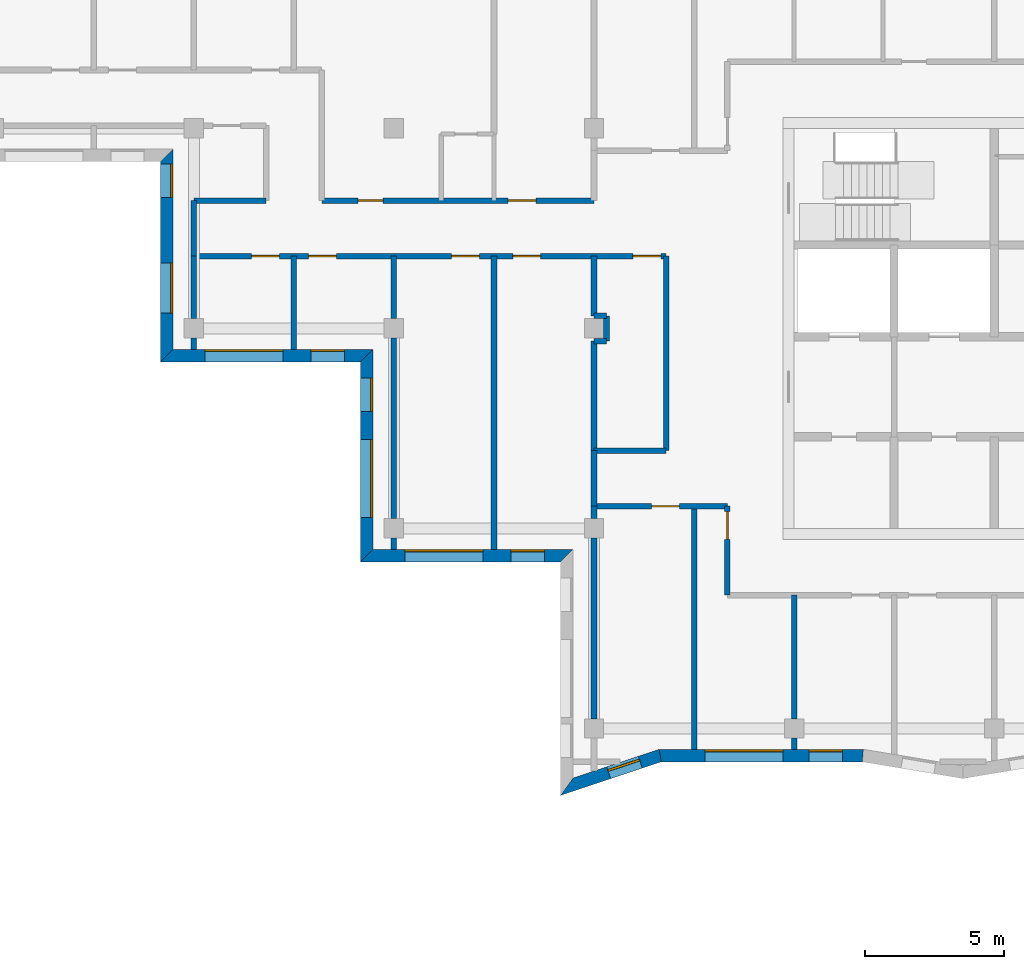
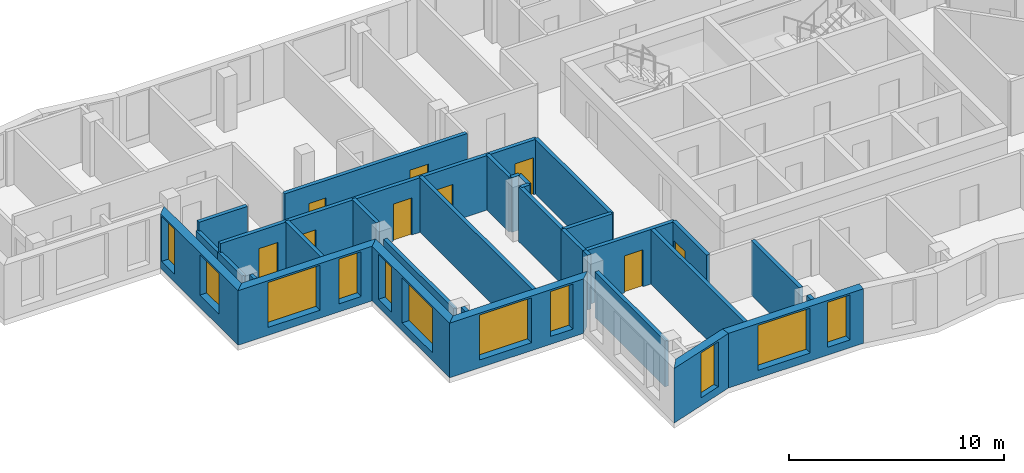
# One storey, part 2 of 12: 32 walls, 11 windows, 9 doors, 20 openings.
"""IFC4 building model written with IfcOpenShell, lengths in metres."""

from ifc_helpers import new_model, si_unit, direction, frame, frame_2d, origin, place, context, subcontext, project, spatial, polyline, rectangle, outline, extrude, material, layer, layer_set, type_object, element, fill, save


model = new_model("IFC4")

# Units and contexts
model_context = context("Model", 3, precision=1e-05, world=origin(), true_north=direction((0.0, 1.0)))
body_context = subcontext(model_context, "Body", "Model", "MODEL_VIEW")
ifc_project = project(units=[si_unit("LENGTHUNIT", "METRE"), si_unit("AREAUNIT", "SQUARE_METRE"), si_unit("VOLUMEUNIT", "CUBIC_METRE"), si_unit("PLANEANGLEUNIT", "RADIAN"), si_unit("MASSUNIT", "GRAM", prefix="KILO")], contexts=[model_context])

# Site, building, storey
site_placement = place(None, origin())
site = spatial("IfcSite", under=ifc_project, at=site_placement, CompositionType="ELEMENT")
building_placement = place(site_placement, origin())
building = spatial("IfcBuilding", under=site, at=building_placement, Name="Windrow Commons", CompositionType="ELEMENT")
storey_placement = place(building_placement, frame((0.0, 0.0, 277.8)))
storey = spatial("IfcBuildingStorey", under=building, at=storey_placement, Name="L76", CompositionType="ELEMENT", Elevation=277.8)

# Wall, openings, windows
ifc_material_1 = material(Name="Brick masonry, red clay brick", Category="masonry")
ifc_layer_1 = layer(ifc_material_1, 0.45)
ifc_layer_set_1 = layer_set([ifc_layer_1], Name="Brick facade wall 450")
wall_type_1 = type_object("IfcWallType", Name="Brick facade wall 450", PredefinedType="SOLIDWALL", material=ifc_layer_set_1)
wall_1_placement = place(storey_placement, frame((35.025, 63.825, 0.0), z_axis=(0.0, 0.0, 1.0), x_axis=(0.0, -1.0, 0.0)))
wall_1 = element("IfcWall", 1, at=wall_1_placement, inside=storey, type_object=wall_type_1, Name="Brick facade wall L76 27", PredefinedType="SOLIDWALL", context=body_context, shape_type="SweptSolid", body=[
    extrude(outline(polyline([(0.225, -0.225), (7.425, -0.225), (6.975, 0.225), (-0.225, 0.225), (0.225, -0.225)])), origin(), (0.0, 0.0, 1.0), 3.1),
])
opening_1_placement = place(wall_1_placement, frame((0.3125, 0.0, 0.45)))
opening_1 = element("IfcOpeningElement", 2, at=opening_1_placement, cuts=wall_1, Name="Opening W7F", PredefinedType="OPENING", context=body_context, shape_type="SweptSolid", body=[
    extrude(rectangle(XDim=1.2, YDim=2.55, at=frame_2d((0.6, 1.275))), frame((0.0, 0.235, 0.0), z_axis=(0.0, -1.0, 0.0), x_axis=(1.0, 0.0, 0.0)), (0.0, 0.0, 1.0), 0.47),
])
opening_2_placement = place(wall_1_placement, frame((3.875, 0.0, 0.7)))
opening_2 = element("IfcOpeningElement", 3, at=opening_2_placement, cuts=wall_1, Name="Opening W1C", PredefinedType="OPENING", context=body_context, shape_type="SweptSolid", body=[
    extrude(rectangle(XDim=1.8, YDim=2.3, at=frame_2d((0.9, 1.15))), frame((0.0, 0.235, 0.0), z_axis=(0.0, -1.0, 0.0), x_axis=(1.0, 0.0, 0.0)), (0.0, 0.0, 1.0), 0.47),
])
ifc_material_2 = material(Name="Clear float glass in anodised aluminium frame", Category="aluminium")
window_type_1 = type_object("IfcWindowType", Name="Window W1 bedroom 1800x2300", PartitioningType="SINGLE_PANEL", PredefinedType="WINDOW", material=ifc_material_2)
window_1_placement = place(opening_2_placement, origin())
window_1 = element("IfcWindow", 4, at=window_1_placement, inside=storey, type_object=window_type_1, Name="Window L76 27.1A", OverallHeight=2.3, OverallWidth=1.8, PartitioningType="SINGLE_PANEL", PredefinedType="WINDOW", context=body_context, shape_type="SweptSolid", body=[
    extrude(rectangle(XDim=1.8, YDim=2.3, at=frame_2d((0.9, 1.15))), frame((0.0, 0.205, 0.0), z_axis=(0.0, -1.0, 0.0), x_axis=(1.0, 0.0, 0.0)), (0.0, 0.0, 1.0), 0.06),
])
fill(opening_2, window_1)
ifc_material_3 = material(Name="Clear float glass in anodised aluminium frame", Category="aluminium")
window_type_2 = type_object("IfcWindowType", Name="Window W7 notch 1200x2550", PartitioningType="SINGLE_PANEL", PredefinedType="WINDOW", material=ifc_material_3)
window_2_placement = place(opening_1_placement, origin())
window_2 = element("IfcWindow", 5, at=window_2_placement, inside=storey, type_object=window_type_2, Name="Window L76 27.2", OverallHeight=2.55, OverallWidth=1.2, PartitioningType="SINGLE_PANEL", PredefinedType="WINDOW", context=body_context, shape_type="SweptSolid", body=[
    extrude(rectangle(XDim=1.2, YDim=2.55, at=frame_2d((0.6, 1.275))), frame((0.0, 0.205, 0.0), z_axis=(0.0, -1.0, 0.0), x_axis=(1.0, 0.0, 0.0)), (0.0, 0.0, 1.0), 0.06),
])
fill(opening_1, window_2)

wall_2_placement = place(storey_placement, frame((35.025, 56.625, 0.0), z_axis=(0.0, 0.0, 1.0), x_axis=(1.0, 0.0, 0.0)))
wall_2 = element("IfcWall", 6, at=wall_2_placement, inside=storey, type_object=wall_type_1, Name="Brick facade wall L76 28", PredefinedType="SOLIDWALL", context=body_context, shape_type="SweptSolid", body=[
    extrude(outline(polyline([(-0.225, -0.225), (6.975, -0.225), (7.425, 0.225), (0.225, 0.225), (-0.225, -0.225)])), origin(), (0.0, 0.0, 1.0), 3.1),
])
opening_3_placement = place(wall_2_placement, frame((1.375, 0.0, 0.45)))
opening_3 = element("IfcOpeningElement", 7, at=opening_3_placement, cuts=wall_2, Name="Opening W1V", PredefinedType="OPENING", context=body_context, shape_type="SweptSolid", body=[
    extrude(rectangle(XDim=2.8, YDim=2.55, at=frame_2d((1.4, 1.275))), frame((0.0, 0.235, 0.0), z_axis=(0.0, -1.0, 0.0), x_axis=(1.0, 0.0, 0.0)), (0.0, 0.0, 1.0), 0.47),
])
opening_4_placement = place(wall_2_placement, frame((5.1875, 0.0, 0.45)))
opening_4 = element("IfcOpeningElement", 8, at=opening_4_placement, cuts=wall_2, Name="Opening W7F", PredefinedType="OPENING", context=body_context, shape_type="SweptSolid", body=[
    extrude(rectangle(XDim=1.2, YDim=2.55, at=frame_2d((0.6, 1.275))), frame((0.0, 0.235, 0.0), z_axis=(0.0, -1.0, 0.0), x_axis=(1.0, 0.0, 0.0)), (0.0, 0.0, 1.0), 0.47),
])
ifc_material_4 = material(Name="Clear float glass in anodised aluminium frame", Category="aluminium")
window_type_3 = type_object("IfcWindowType", Name="Window W1V bedroom 2800x2550", PartitioningType="SINGLE_PANEL", PredefinedType="WINDOW", material=ifc_material_4)
window_3_placement = place(opening_3_placement, origin())
window_3 = element("IfcWindow", 9, at=window_3_placement, inside=storey, type_object=window_type_3, Name="Window L76 28.1", OverallHeight=2.55, OverallWidth=2.8, PartitioningType="SINGLE_PANEL", PredefinedType="WINDOW", context=body_context, shape_type="SweptSolid", body=[
    extrude(rectangle(XDim=2.8, YDim=2.55, at=frame_2d((1.4, 1.275))), frame((0.0, 0.205, 0.0), z_axis=(0.0, -1.0, 0.0), x_axis=(1.0, 0.0, 0.0)), (0.0, 0.0, 1.0), 0.06),
])
fill(opening_3, window_3)
window_4_placement = place(opening_4_placement, origin())
window_4 = element("IfcWindow", 10, at=window_4_placement, inside=storey, type_object=window_type_2, Name="Window L76 28.2", OverallHeight=2.55, OverallWidth=1.2, PartitioningType="SINGLE_PANEL", PredefinedType="WINDOW", context=body_context, shape_type="SweptSolid", body=[
    extrude(rectangle(XDim=1.2, YDim=2.55, at=frame_2d((0.6, 1.275))), frame((0.0, 0.205, 0.0), z_axis=(0.0, -1.0, 0.0), x_axis=(1.0, 0.0, 0.0)), (0.0, 0.0, 1.0), 0.06),
])
fill(opening_4, window_4)

wall_3_placement = place(storey_placement, frame((42.225, 56.625, 0.0), z_axis=(0.0, 0.0, 1.0), x_axis=(0.0, -1.0, 0.0)))
wall_3 = element("IfcWall", 11, at=wall_3_placement, inside=storey, type_object=wall_type_1, Name="Brick facade wall L76 29", PredefinedType="SOLIDWALL", context=body_context, shape_type="SweptSolid", body=[
    extrude(outline(polyline([(0.225, -0.225), (7.425, -0.225), (6.975, 0.225), (-0.225, 0.225), (0.225, -0.225)])), origin(), (0.0, 0.0, 1.0), 3.1),
])
opening_5_placement = place(wall_3_placement, frame((3.025, 0.0, 0.45)))
opening_5 = element("IfcOpeningElement", 12, at=opening_5_placement, cuts=wall_3, Name="Opening W1V", PredefinedType="OPENING", context=body_context, shape_type="SweptSolid", body=[
    extrude(rectangle(XDim=2.8, YDim=2.55, at=frame_2d((1.4, 1.275))), frame((0.0, 0.235, 0.0), z_axis=(0.0, -1.0, 0.0), x_axis=(1.0, 0.0, 0.0)), (0.0, 0.0, 1.0), 0.47),
])
opening_6_placement = place(wall_3_placement, frame((0.8125, 0.0, 0.45)))
opening_6 = element("IfcOpeningElement", 13, at=opening_6_placement, cuts=wall_3, Name="Opening W7F", PredefinedType="OPENING", context=body_context, shape_type="SweptSolid", body=[
    extrude(rectangle(XDim=1.2, YDim=2.55, at=frame_2d((0.6, 1.275))), frame((0.0, 0.235, 0.0), z_axis=(0.0, -1.0, 0.0), x_axis=(1.0, 0.0, 0.0)), (0.0, 0.0, 1.0), 0.47),
])
window_5_placement = place(opening_5_placement, origin())
window_5 = element("IfcWindow", 14, at=window_5_placement, inside=storey, type_object=window_type_3, Name="Window L76 29.1", OverallHeight=2.55, OverallWidth=2.8, PartitioningType="SINGLE_PANEL", PredefinedType="WINDOW", context=body_context, shape_type="SweptSolid", body=[
    extrude(rectangle(XDim=2.8, YDim=2.55, at=frame_2d((1.4, 1.275))), frame((0.0, 0.205, 0.0), z_axis=(0.0, -1.0, 0.0), x_axis=(1.0, 0.0, 0.0)), (0.0, 0.0, 1.0), 0.06),
])
fill(opening_5, window_5)
window_6_placement = place(opening_6_placement, origin())
window_6 = element("IfcWindow", 15, at=window_6_placement, inside=storey, type_object=window_type_2, Name="Window L76 29.2", OverallHeight=2.55, OverallWidth=1.2, PartitioningType="SINGLE_PANEL", PredefinedType="WINDOW", context=body_context, shape_type="SweptSolid", body=[
    extrude(rectangle(XDim=1.2, YDim=2.55, at=frame_2d((0.6, 1.275))), frame((0.0, 0.205, 0.0), z_axis=(0.0, -1.0, 0.0), x_axis=(1.0, 0.0, 0.0)), (0.0, 0.0, 1.0), 0.06),
])
fill(opening_6, window_6)

wall_4_placement = place(storey_placement, frame((42.225, 49.425, 0.0), z_axis=(0.0, 0.0, 1.0), x_axis=(1.0, 0.0, 0.0)))
wall_4 = element("IfcWall", 16, at=wall_4_placement, inside=storey, type_object=wall_type_1, Name="Brick facade wall L76 30", PredefinedType="SOLIDWALL", context=body_context, shape_type="SweptSolid", body=[
    extrude(outline(polyline([(-0.225, -0.225), (6.975, -0.225), (7.425, 0.225), (0.225, 0.225), (-0.225, -0.225)])), origin(), (0.0, 0.0, 1.0), 3.1),
])
opening_7_placement = place(wall_4_placement, frame((1.375, 0.0, 0.45)))
opening_7 = element("IfcOpeningElement", 17, at=opening_7_placement, cuts=wall_4, Name="Opening W1V", PredefinedType="OPENING", context=body_context, shape_type="SweptSolid", body=[
    extrude(rectangle(XDim=2.8, YDim=2.55, at=frame_2d((1.4, 1.275))), frame((0.0, 0.235, 0.0), z_axis=(0.0, -1.0, 0.0), x_axis=(1.0, 0.0, 0.0)), (0.0, 0.0, 1.0), 0.47),
])
opening_8_placement = place(wall_4_placement, frame((5.1875, 0.0, 0.45)))
opening_8 = element("IfcOpeningElement", 18, at=opening_8_placement, cuts=wall_4, Name="Opening W7F", PredefinedType="OPENING", context=body_context, shape_type="SweptSolid", body=[
    extrude(rectangle(XDim=1.2, YDim=2.55, at=frame_2d((0.6, 1.275))), frame((0.0, 0.235, 0.0), z_axis=(0.0, -1.0, 0.0), x_axis=(1.0, 0.0, 0.0)), (0.0, 0.0, 1.0), 0.47),
])
window_7_placement = place(opening_7_placement, origin())
window_7 = element("IfcWindow", 19, at=window_7_placement, inside=storey, type_object=window_type_3, Name="Window L76 30.1", OverallHeight=2.55, OverallWidth=2.8, PartitioningType="SINGLE_PANEL", PredefinedType="WINDOW", context=body_context, shape_type="SweptSolid", body=[
    extrude(rectangle(XDim=2.8, YDim=2.55, at=frame_2d((1.4, 1.275))), frame((0.0, 0.205, 0.0), z_axis=(0.0, -1.0, 0.0), x_axis=(1.0, 0.0, 0.0)), (0.0, 0.0, 1.0), 0.06),
])
fill(opening_7, window_7)
window_8_placement = place(opening_8_placement, origin())
window_8 = element("IfcWindow", 20, at=window_8_placement, inside=storey, type_object=window_type_2, Name="Window L76 30.2", OverallHeight=2.55, OverallWidth=1.2, PartitioningType="SINGLE_PANEL", PredefinedType="WINDOW", context=body_context, shape_type="SweptSolid", body=[
    extrude(rectangle(XDim=1.2, YDim=2.55, at=frame_2d((0.6, 1.275))), frame((0.0, 0.205, 0.0), z_axis=(0.0, -1.0, 0.0), x_axis=(1.0, 0.0, 0.0)), (0.0, 0.0, 1.0), 0.06),
])
fill(opening_8, window_8)

# Wall, opening, window
wall_5_placement = place(storey_placement, frame((49.425, 41.1089, 0.0), z_axis=(0.0, 0.0, 1.0), x_axis=(0.9489711132, 0.3153630071, 0.0)))
wall_5 = element("IfcWall", 21, at=wall_5_placement, inside=storey, type_object=wall_type_1, Name="Brick facade wall L76 32", PredefinedType="SOLIDWALL", context=body_context, shape_type="SweptSolid", body=[
    extrude(outline(polyline([(-0.3119, -0.225), (3.5027, -0.225), (3.5755, 0.225), (0.3119, 0.225), (-0.3119, -0.225)])), origin(), (0.0, 0.0, 1.0), 3.1),
])
opening_9_placement = place(wall_5_placement, frame((1.5832, 0.0, 0.45)))
opening_9 = element("IfcOpeningElement", 22, at=opening_9_placement, cuts=wall_5, Name="Opening W7F", PredefinedType="OPENING", context=body_context, shape_type="SweptSolid", body=[
    extrude(rectangle(XDim=1.2, YDim=2.55, at=frame_2d((0.6, 1.275))), frame((0.0, 0.235, 0.0), z_axis=(0.0, -1.0, 0.0), x_axis=(1.0, 0.0, 0.0)), (0.0, 0.0, 1.0), 0.47),
])
window_9_placement = place(opening_9_placement, origin())
window_9 = element("IfcWindow", 23, at=window_9_placement, inside=storey, type_object=window_type_2, Name="Window L76 32.1", OverallHeight=2.55, OverallWidth=1.2, PartitioningType="SINGLE_PANEL", PredefinedType="WINDOW", context=body_context, shape_type="SweptSolid", body=[
    extrude(rectangle(XDim=1.2, YDim=2.55, at=frame_2d((0.6, 1.275))), frame((0.0, 0.115, 0.0), z_axis=(0.0, -1.0, 0.0), x_axis=(1.0, 0.0, 0.0)), (0.0, 0.0, 1.0), 0.06),
])
fill(opening_9, window_9)

# Wall, openings, windows
wall_6_placement = place(storey_placement, frame((52.7835, 42.225, 0.0), z_axis=(0.0, 0.0, 1.0), x_axis=(1.0, 0.0, 0.0)))
wall_6 = element("IfcWall", 24, at=wall_6_placement, inside=storey, type_object=wall_type_1, Name="Brick facade wall L76 33", PredefinedType="SOLIDWALL", context=body_context, shape_type="SweptSolid", body=[
    extrude(outline(polyline([(0.0364, -0.225), (7.2761, -0.225), (7.3134, 0.225), (-0.0364, 0.225), (0.0364, -0.225)])), origin(), (0.0, 0.0, 1.0), 3.1),
])
opening_10_placement = place(wall_6_placement, frame((1.6165, 0.0, 0.45)))
opening_10 = element("IfcOpeningElement", 25, at=opening_10_placement, cuts=wall_6, Name="Opening W1V", PredefinedType="OPENING", context=body_context, shape_type="SweptSolid", body=[
    extrude(rectangle(XDim=2.8, YDim=2.55, at=frame_2d((1.4, 1.275))), frame((0.0, 0.235, 0.0), z_axis=(0.0, -1.0, 0.0), x_axis=(1.0, 0.0, 0.0)), (0.0, 0.0, 1.0), 0.47),
])
opening_11_placement = place(wall_6_placement, frame((5.3556, 0.0, 0.45)))
opening_11 = element("IfcOpeningElement", 26, at=opening_11_placement, cuts=wall_6, Name="Opening W7F", PredefinedType="OPENING", context=body_context, shape_type="SweptSolid", body=[
    extrude(rectangle(XDim=1.2, YDim=2.55, at=frame_2d((0.6, 1.275))), frame((0.0, 0.235, 0.0), z_axis=(0.0, -1.0, 0.0), x_axis=(1.0, 0.0, 0.0)), (0.0, 0.0, 1.0), 0.47),
])
window_10_placement = place(opening_10_placement, origin())
window_10 = element("IfcWindow", 27, at=window_10_placement, inside=storey, type_object=window_type_3, Name="Window L76 33.1", OverallHeight=2.55, OverallWidth=2.8, PartitioningType="SINGLE_PANEL", PredefinedType="WINDOW", context=body_context, shape_type="SweptSolid", body=[
    extrude(rectangle(XDim=2.8, YDim=2.55, at=frame_2d((1.4, 1.275))), frame((0.0, 0.205, 0.0), z_axis=(0.0, -1.0, 0.0), x_axis=(1.0, 0.0, 0.0)), (0.0, 0.0, 1.0), 0.06),
])
fill(opening_10, window_10)
window_11_placement = place(opening_11_placement, origin())
window_11 = element("IfcWindow", 28, at=window_11_placement, inside=storey, type_object=window_type_2, Name="Window L76 33.2", OverallHeight=2.55, OverallWidth=1.2, PartitioningType="SINGLE_PANEL", PredefinedType="WINDOW", context=body_context, shape_type="SweptSolid", body=[
    extrude(rectangle(XDim=1.2, YDim=2.55, at=frame_2d((0.6, 1.275))), frame((0.0, 0.205, 0.0), z_axis=(0.0, -1.0, 0.0), x_axis=(1.0, 0.0, 0.0)), (0.0, 0.0, 1.0), 0.06),
])
fill(opening_11, window_11)

# Wall, openings, doors
ifc_material_5 = material(Name="Blockwork partition", Category="masonry")
ifc_layer_2 = layer(ifc_material_5, 0.2)
ifc_layer_set_2 = layer_set([ifc_layer_2], Name="IW-CORRIDOR-200")
wall_type_2 = type_object("IfcWallType", Name="IW-CORRIDOR-200", PredefinedType="PARTITIONING", material=ifc_layer_set_2)
wall_7_placement = place(storey_placement, frame((36.0, 60.2, 0.0), z_axis=(0.0, 0.0, 1.0), x_axis=(1.0, 0.0, 0.0)))
wall_7 = element("IfcWall", 29, at=wall_7_placement, inside=storey, type_object=wall_type_2, Name="W-L76-W002", PredefinedType="PARTITIONING", context=body_context, shape_type="SweptSolid", body=[
    extrude(rectangle(XDim=17.0, YDim=0.2, at=frame_2d((8.5, 0.0))), origin(), (0.0, 0.0, 1.0), 3.1),
])
opening_12_placement = place(wall_7_placement, frame((15.8022, 0.0, 0.0)))
opening_12 = element("IfcOpeningElement", 30, at=opening_12_placement, cuts=wall_7, Name="Opening D410F", PredefinedType="OPENING", context=body_context, shape_type="SweptSolid", body=[
    extrude(rectangle(XDim=1.0, YDim=2.1, at=frame_2d((0.5, 1.05))), frame((0.0, 0.11, 0.0), z_axis=(0.0, -1.0, 0.0), x_axis=(1.0, 0.0, 0.0)), (0.0, 0.0, 1.0), 0.22),
])
opening_13_placement = place(wall_7_placement, frame((2.075, 0.0, 0.0)))
opening_13 = element("IfcOpeningElement", 31, at=opening_13_placement, cuts=wall_7, Name="Opening D310F", PredefinedType="OPENING", context=body_context, shape_type="SweptSolid", body=[
    extrude(rectangle(XDim=1.0, YDim=2.1, at=frame_2d((0.5, 1.05))), frame((0.0, 0.11, 0.0), z_axis=(0.0, -1.0, 0.0), x_axis=(1.0, 0.0, 0.0)), (0.0, 0.0, 1.0), 0.22),
])
opening_14_placement = place(wall_7_placement, frame((4.125, 0.0, 0.0)))
opening_14 = element("IfcOpeningElement", 32, at=opening_14_placement, cuts=wall_7, Name="Opening D310F", PredefinedType="OPENING", context=body_context, shape_type="SweptSolid", body=[
    extrude(rectangle(XDim=1.0, YDim=2.1, at=frame_2d((0.5, 1.05))), frame((0.0, 0.11, 0.0), z_axis=(0.0, -1.0, 0.0), x_axis=(1.0, 0.0, 0.0)), (0.0, 0.0, 1.0), 0.22),
])
opening_15_placement = place(wall_7_placement, frame((9.275, 0.0, 0.0)))
opening_15 = element("IfcOpeningElement", 33, at=opening_15_placement, cuts=wall_7, Name="Opening D310F", PredefinedType="OPENING", context=body_context, shape_type="SweptSolid", body=[
    extrude(rectangle(XDim=1.0, YDim=2.1, at=frame_2d((0.5, 1.05))), frame((0.0, 0.11, 0.0), z_axis=(0.0, -1.0, 0.0), x_axis=(1.0, 0.0, 0.0)), (0.0, 0.0, 1.0), 0.22),
])
opening_16_placement = place(wall_7_placement, frame((11.48, 0.0, 0.0)))
opening_16 = element("IfcOpeningElement", 34, at=opening_16_placement, cuts=wall_7, Name="Opening D310F", PredefinedType="OPENING", context=body_context, shape_type="SweptSolid", body=[
    extrude(rectangle(XDim=1.0, YDim=2.1, at=frame_2d((0.5, 1.05))), frame((0.0, 0.11, 0.0), z_axis=(0.0, -1.0, 0.0), x_axis=(1.0, 0.0, 0.0)), (0.0, 0.0, 1.0), 0.22),
])
ifc_material_6 = material(Name="Timber door leaf", Category="wood")
door_type_1 = type_object("IfcDoorType", Name="DT-AMENITY-1000", OperationType="SINGLE_SWING_LEFT", PredefinedType="DOOR", material=ifc_material_6)
door_1_placement = place(opening_13_placement, origin())
door_1 = element("IfcDoor", 35, at=door_1_placement, inside=storey, type_object=door_type_1, Name="D-L76-D015", OperationType="SINGLE_SWING_LEFT", OverallHeight=2.1, OverallWidth=1.0, PredefinedType="DOOR", context=body_context, shape_type="SweptSolid", body=[
    extrude(rectangle(XDim=1.0, YDim=2.1, at=frame_2d((0.5, 1.05))), frame((0.0, 0.025, 0.0), z_axis=(0.0, -1.0, 0.0), x_axis=(1.0, 0.0, 0.0)), (0.0, 0.0, 1.0), 0.05),
])
fill(opening_13, door_1)
door_2_placement = place(opening_14_placement, origin())
door_2 = element("IfcDoor", 36, at=door_2_placement, inside=storey, type_object=door_type_1, Name="D-L76-D016", OperationType="SINGLE_SWING_RIGHT", OverallHeight=2.1, OverallWidth=1.0, PredefinedType="DOOR", context=body_context, shape_type="SweptSolid", body=[
    extrude(rectangle(XDim=1.0, YDim=2.1, at=frame_2d((0.5, 1.05))), frame((0.0, 0.025, 0.0), z_axis=(0.0, -1.0, 0.0), x_axis=(1.0, 0.0, 0.0)), (0.0, 0.0, 1.0), 0.05),
])
fill(opening_14, door_2)
door_3_placement = place(opening_15_placement, origin())
door_3 = element("IfcDoor", 37, at=door_3_placement, inside=storey, type_object=door_type_1, Name="D-L76-D017", OperationType="SINGLE_SWING_LEFT", OverallHeight=2.1, OverallWidth=1.0, PredefinedType="DOOR", context=body_context, shape_type="SweptSolid", body=[
    extrude(rectangle(XDim=1.0, YDim=2.1, at=frame_2d((0.5, 1.05))), frame((0.0, 0.025, 0.0), z_axis=(0.0, -1.0, 0.0), x_axis=(1.0, 0.0, 0.0)), (0.0, 0.0, 1.0), 0.05),
])
fill(opening_15, door_3)
door_4_placement = place(opening_16_placement, origin())
door_4 = element("IfcDoor", 38, at=door_4_placement, inside=storey, type_object=door_type_1, Name="D-L76-D021", OperationType="SINGLE_SWING_RIGHT", OverallHeight=2.1, OverallWidth=1.0, PredefinedType="DOOR", context=body_context, shape_type="SweptSolid", body=[
    extrude(rectangle(XDim=1.0, YDim=2.1, at=frame_2d((0.5, 1.05))), frame((0.0, 0.025, 0.0), z_axis=(0.0, -1.0, 0.0), x_axis=(1.0, 0.0, 0.0)), (0.0, 0.0, 1.0), 0.05),
])
fill(opening_16, door_4)
ifc_material_7 = material(Name="Timber door leaf", Category="wood")
door_type_2 = type_object("IfcDoorType", Name="DT-SERVICE-1000", OperationType="SINGLE_SWING_LEFT", PredefinedType="DOOR", material=ifc_material_7)
door_5_placement = place(opening_12_placement, origin())
door_5 = element("IfcDoor", 39, at=door_5_placement, inside=storey, type_object=door_type_2, Name="D-L76-D000", OperationType="SINGLE_SWING_LEFT", OverallHeight=2.1, OverallWidth=1.0, PredefinedType="DOOR", context=body_context, shape_type="SweptSolid", body=[
    extrude(rectangle(XDim=1.0, YDim=2.1, at=frame_2d((0.5, 1.05))), frame((0.0, 0.025, 0.0), z_axis=(0.0, -1.0, 0.0), x_axis=(1.0, 0.0, 0.0)), (0.0, 0.0, 1.0), 0.05),
])
fill(opening_12, door_5)

wall_8_placement = place(storey_placement, frame((40.602, 62.2, 0.0), z_axis=(0.0, 0.0, 1.0), x_axis=(1.0, 0.0, 0.0)))
wall_8 = element("IfcWall", 40, at=wall_8_placement, inside=storey, type_object=wall_type_2, Name="W-L76-W007", PredefinedType="PARTITIONING", context=body_context, shape_type="SweptSolid", body=[
    extrude(rectangle(XDim=9.798, YDim=0.2, at=frame_2d((4.899, 0.0))), origin(), (0.0, 0.0, 1.0), 3.1),
])
opening_17_placement = place(wall_8_placement, frame((1.3056, 0.0, 0.0)))
opening_17 = element("IfcOpeningElement", 41, at=opening_17_placement, cuts=wall_8, Name="Opening D109F", PredefinedType="OPENING", context=body_context, shape_type="SweptSolid", body=[
    extrude(rectangle(XDim=0.9, YDim=2.1, at=frame_2d((0.45, 1.05))), frame((0.0, 0.11, 0.0), z_axis=(0.0, -1.0, 0.0), x_axis=(1.0, 0.0, 0.0)), (0.0, 0.0, 1.0), 0.22),
])
opening_18_placement = place(wall_8_placement, frame((6.7113, 0.0, 0.0)))
opening_18 = element("IfcOpeningElement", 42, at=opening_18_placement, cuts=wall_8, Name="Opening D310F", PredefinedType="OPENING", context=body_context, shape_type="SweptSolid", body=[
    extrude(rectangle(XDim=1.0, YDim=2.1, at=frame_2d((0.5, 1.05))), frame((0.0, 0.11, 0.0), z_axis=(0.0, -1.0, 0.0), x_axis=(1.0, 0.0, 0.0)), (0.0, 0.0, 1.0), 0.22),
])
door_6_placement = place(opening_18_placement, origin())
door_6 = element("IfcDoor", 43, at=door_6_placement, inside=storey, type_object=door_type_1, Name="D-L76-D020", OperationType="SINGLE_SWING_LEFT", OverallHeight=2.1, OverallWidth=1.0, PredefinedType="DOOR", context=body_context, shape_type="SweptSolid", body=[
    extrude(rectangle(XDim=1.0, YDim=2.1, at=frame_2d((0.5, 1.05))), frame((0.0, 0.025, 0.0), z_axis=(0.0, -1.0, 0.0), x_axis=(1.0, 0.0, 0.0)), (0.0, 0.0, 1.0), 0.05),
])
fill(opening_18, door_6)
ifc_material_8 = material(Name="Timber door leaf", Category="wood")
door_type_3 = type_object("IfcDoorType", Name="DT-BEDROOM-900", OperationType="SINGLE_SWING_LEFT", PredefinedType="DOOR", material=ifc_material_8)
door_7_placement = place(opening_17_placement, origin())
door_7 = element("IfcDoor", 44, at=door_7_placement, inside=storey, type_object=door_type_3, Name="D-L76-D018", OperationType="SINGLE_SWING_LEFT", OverallHeight=2.1, OverallWidth=0.9, PredefinedType="DOOR", context=body_context, shape_type="SweptSolid", body=[
    extrude(rectangle(XDim=0.9, YDim=2.1, at=frame_2d((0.45, 1.05))), frame((0.0, 0.025, 0.0), z_axis=(0.0, -1.0, 0.0), x_axis=(1.0, 0.0, 0.0)), (0.0, 0.0, 1.0), 0.05),
])
fill(opening_17, door_7)

# Wall
wall_9_placement = place(storey_placement, frame((53.0, 53.202, 0.0), z_axis=(0.0, 0.0, 1.0), x_axis=(0.0, 1.0, 0.0)))
element("IfcWall", 45, at=wall_9_placement, inside=storey, type_object=wall_type_2, Name="W-L76-W017", PredefinedType="PARTITIONING", context=body_context, shape_type="SweptSolid", body=[
    extrude(rectangle(XDim=6.998, YDim=0.2, at=frame_2d((3.499, 0.0))), origin(), (0.0, 0.0, 1.0), 3.1),
])

# Wall, opening, door
wall_10_placement = place(storey_placement, frame((50.4, 51.2, 0.0), z_axis=(0.0, 0.0, 1.0), x_axis=(1.0, 0.0, 0.0)))
wall_10 = element("IfcWall", 46, at=wall_10_placement, inside=storey, type_object=wall_type_2, Name="W-L76-W031", PredefinedType="PARTITIONING", context=body_context, shape_type="SweptSolid", body=[
    extrude(rectangle(XDim=4.8, YDim=0.2, at=frame_2d((2.4, 0.0))), origin(), (0.0, 0.0, 1.0), 3.1),
])
opening_19_placement = place(wall_10_placement, frame((2.075, 0.0, 0.0)))
opening_19 = element("IfcOpeningElement", 47, at=opening_19_placement, cuts=wall_10, Name="Opening D310F", PredefinedType="OPENING", context=body_context, shape_type="SweptSolid", body=[
    extrude(rectangle(XDim=1.0, YDim=2.1, at=frame_2d((0.5, 1.05))), frame((0.0, 0.11, 0.0), z_axis=(0.0, -1.0, 0.0), x_axis=(1.0, 0.0, 0.0)), (0.0, 0.0, 1.0), 0.22),
])
door_8_placement = place(opening_19_placement, origin())
door_8 = element("IfcDoor", 48, at=door_8_placement, inside=storey, type_object=door_type_1, Name="D-L76-D022", OperationType="SINGLE_SWING_LEFT", OverallHeight=2.1, OverallWidth=1.0, PredefinedType="DOOR", context=body_context, shape_type="SweptSolid", body=[
    extrude(rectangle(XDim=1.0, YDim=2.1, at=frame_2d((0.5, 1.05))), frame((0.0, 0.025, 0.0), z_axis=(0.0, -1.0, 0.0), x_axis=(1.0, 0.0, 0.0)), (0.0, 0.0, 1.0), 0.05),
])
fill(opening_19, door_8)

wall_11_placement = place(storey_placement, frame((55.2, 48.0, 0.0), z_axis=(0.0, 0.0, 1.0), x_axis=(0.0, 1.0, 0.0)))
wall_11 = element("IfcWall", 49, at=wall_11_placement, inside=storey, type_object=wall_type_2, Name="W-L76-W054", PredefinedType="PARTITIONING", context=body_context, shape_type="SweptSolid", body=[
    extrude(rectangle(XDim=3.2, YDim=0.2, at=frame_2d((1.6, 0.0))), origin(), (0.0, 0.0, 1.0), 3.1),
])
opening_20_placement = place(wall_11_placement, frame((2.0043, 0.0, 0.0)))
opening_20 = element("IfcOpeningElement", 50, at=opening_20_placement, cuts=wall_11, Name="Opening D310F", PredefinedType="OPENING", context=body_context, shape_type="SweptSolid", body=[
    extrude(rectangle(XDim=1.0, YDim=2.1, at=frame_2d((0.5, 1.05))), frame((0.0, 0.11, 0.0), z_axis=(0.0, -1.0, 0.0), x_axis=(1.0, 0.0, 0.0)), (0.0, 0.0, 1.0), 0.22),
])
door_9_placement = place(opening_20_placement, origin())
door_9 = element("IfcDoor", 51, at=door_9_placement, inside=storey, type_object=door_type_1, Name="D-L76-D023", OperationType="SINGLE_SWING_RIGHT", OverallHeight=2.1, OverallWidth=1.0, PredefinedType="DOOR", context=body_context, shape_type="SweptSolid", body=[
    extrude(rectangle(XDim=1.0, YDim=2.1, at=frame_2d((0.5, 1.05))), frame((0.0, 0.025, 0.0), z_axis=(0.0, -1.0, 0.0), x_axis=(1.0, 0.0, 0.0)), (0.0, 0.0, 1.0), 0.05),
])
fill(opening_20, door_9)

# Walls
wall_12_placement = place(storey_placement, frame((50.4, 53.2, 0.0), z_axis=(0.0, 0.0, 1.0), x_axis=(1.0, 0.0, 0.0)))
element("IfcWall", 52, at=wall_12_placement, inside=storey, type_object=wall_type_2, Name="W-L76-W066", PredefinedType="PARTITIONING", context=body_context, shape_type="SweptSolid", body=[
    extrude(rectangle(XDim=2.6, YDim=0.2, at=frame_2d((1.3, 0.0))), origin(), (0.0, 0.0, 1.0), 3.1),
])
wall_13_placement = place(storey_placement, frame((36.002, 62.2, 0.0), z_axis=(0.0, 0.0, 1.0), x_axis=(1.0, 0.0, 0.0)))
element("IfcWall", 53, at=wall_13_placement, inside=storey, type_object=wall_type_2, Name="W-L76-W067", PredefinedType="PARTITIONING", context=body_context, shape_type="SweptSolid", body=[
    extrude(rectangle(XDim=2.598, YDim=0.2, at=frame_2d((1.299, 0.0))), origin(), (0.0, 0.0, 1.0), 3.1),
])
wall_14_placement = place(storey_placement, frame((36.0, 60.2, 0.0), z_axis=(0.0, 0.0, 1.0), x_axis=(0.0, 1.0, 0.0)))
element("IfcWall", 54, at=wall_14_placement, inside=storey, type_object=wall_type_2, Name="W-L76-W085", PredefinedType="PARTITIONING", context=body_context, shape_type="SweptSolid", body=[
    extrude(rectangle(XDim=2.0, YDim=0.2, at=frame_2d((1.0, 0.0))), origin(), (0.0, 0.0, 1.0), 2.6),
])
wall_15_placement = place(storey_placement, frame((50.4, 51.2, 0.0), z_axis=(0.0, 0.0, 1.0), x_axis=(0.0, 1.0, 0.0)))
element("IfcWall", 55, at=wall_15_placement, inside=storey, type_object=wall_type_2, Name="W-L76-W086", PredefinedType="PARTITIONING", context=body_context, shape_type="SweptSolid", body=[
    extrude(rectangle(XDim=2.0, YDim=0.2, at=frame_2d((1.0, 0.0))), origin(), (0.0, 0.0, 1.0), 3.1),
])
ifc_material_9 = material(Name="Blockwork partition", Category="masonry")
ifc_layer_3 = layer(ifc_material_9, 0.2)
ifc_layer_set_3 = layer_set([ifc_layer_3], Name="IW-PARTY-200")
wall_type_3 = type_object("IfcWallType", Name="IW-PARTY-200", PredefinedType="PARTITIONING", material=ifc_layer_set_3)
wall_16_placement = place(storey_placement, frame((46.8, 49.65, 0.0), z_axis=(0.0, 0.0, 1.0), x_axis=(0.0, 1.0, 0.0)))
element("IfcWall", 56, at=wall_16_placement, inside=storey, type_object=wall_type_3, Name="W-L76-W005", PredefinedType="PARTITIONING", context=body_context, shape_type="SweptSolid", body=[
    extrude(rectangle(XDim=10.55, YDim=0.2, at=frame_2d((5.275, 0.0))), origin(), (0.0, 0.0, 1.0), 3.1),
])
wall_17_placement = place(storey_placement, frame((54.0, 42.45, 0.0), z_axis=(0.0, 0.0, 1.0), x_axis=(0.0, 1.0, 0.0)))
element("IfcWall", 57, at=wall_17_placement, inside=storey, type_object=wall_type_3, Name="W-L76-W011", PredefinedType="PARTITIONING", context=body_context, shape_type="SweptSolid", body=[
    extrude(rectangle(XDim=8.75, YDim=0.2, at=frame_2d((4.375, 0.0))), origin(), (0.0, 0.0, 1.0), 3.1),
])
for number, where, z_axis, x_axis, name in (
    (58, (43.2, 50.75, 0.0), (0.0, 0.0, 1.0), (0.0, 1.0, 0.0), "W-L76-W020"),
    (59, (50.4, 43.55, 0.0), (0.0, 0.0, 1.0), (0.0, 1.0, 0.0), "W-L76-W021"),
):
    element("IfcWall", number, at=place(storey_placement, frame(where, z_axis=z_axis, x_axis=x_axis)), inside=storey, type_object=wall_type_3, Name=name, PredefinedType="PARTITIONING", context=body_context, shape_type="SweptSolid", body=[
        extrude(rectangle(XDim=6.5, YDim=0.2, at=frame_2d((3.25, 0.0))), origin(), (0.0, 0.0, 1.0), 2.6),
    ])
wall_18_placement = place(storey_placement, frame((57.6, 43.55, 0.0), z_axis=(0.0, 0.0, 1.0), x_axis=(0.0, 1.0, 0.0)))
element("IfcWall", 60, at=wall_18_placement, inside=storey, type_object=wall_type_3, Name="W-L76-W040", PredefinedType="PARTITIONING", context=body_context, shape_type="SweptSolid", body=[
    extrude(rectangle(XDim=4.45, YDim=0.2, at=frame_2d((2.225, 0.0))), origin(), (0.0, 0.0, 1.0), 3.1),
])
wall_19_placement = place(storey_placement, frame((50.4, 53.2, 0.0), z_axis=(0.0, 0.0, 1.0), x_axis=(0.0, 1.0, 0.0)))
element("IfcWall", 61, at=wall_19_placement, inside=storey, type_object=wall_type_3, Name="W-L76-W050", PredefinedType="PARTITIONING", context=body_context, shape_type="SweptSolid", body=[
    extrude(rectangle(XDim=3.944, YDim=0.2, at=frame_2d((1.972, 0.0))), origin(), (0.0, 0.0, 1.0), 3.1),
])
wall_20_placement = place(storey_placement, frame((39.6, 56.85, 0.0), z_axis=(0.0, 0.0, 1.0), x_axis=(0.0, 1.0, 0.0)))
element("IfcWall", 62, at=wall_20_placement, inside=storey, type_object=wall_type_3, Name="W-L76-W051", PredefinedType="PARTITIONING", context=body_context, shape_type="SweptSolid", body=[
    extrude(rectangle(XDim=3.35, YDim=0.2, at=frame_2d((1.675, 0.0))), origin(), (0.0, 0.0, 1.0), 3.1),
])
wall_21_placement = place(storey_placement, frame((36.0, 57.95, 0.0), z_axis=(0.0, 0.0, 1.0), x_axis=(0.0, 1.0, 0.0)))
element("IfcWall", 63, at=wall_21_placement, inside=storey, type_object=wall_type_3, Name="W-L76-W078", PredefinedType="PARTITIONING", context=body_context, shape_type="SweptSolid", body=[
    extrude(rectangle(XDim=2.25, YDim=0.2, at=frame_2d((1.125, 0.0))), origin(), (0.0, 0.0, 1.0), 2.6),
])
wall_22_placement = place(storey_placement, frame((43.2, 57.95, 0.0), z_axis=(0.0, 0.0, 1.0), x_axis=(0.0, 1.0, 0.0)))
element("IfcWall", 64, at=wall_22_placement, inside=storey, type_object=wall_type_3, Name="W-L76-W079", PredefinedType="PARTITIONING", context=body_context, shape_type="SweptSolid", body=[
    extrude(rectangle(XDim=2.25, YDim=0.2, at=frame_2d((1.125, 0.0))), origin(), (0.0, 0.0, 1.0), 3.1),
])
wall_23_placement = place(storey_placement, frame((50.4, 58.056, 0.0), z_axis=(0.0, 0.0, 1.0), x_axis=(0.0, 1.0, 0.0)))
element("IfcWall", 65, at=wall_23_placement, inside=storey, type_object=wall_type_3, Name="W-L76-W080", PredefinedType="PARTITIONING", context=body_context, shape_type="SweptSolid", body=[
    extrude(rectangle(XDim=2.144, YDim=0.2, at=frame_2d((1.072, 0.0))), origin(), (0.0, 0.0, 1.0), 3.1),
])
wall_24_placement = place(storey_placement, frame((50.85, 57.144, 0.0), z_axis=(0.0, 0.0, 1.0), x_axis=(0.0, 1.0, 0.0)))
element("IfcWall", 66, at=wall_24_placement, inside=storey, type_object=wall_type_3, Name="W-L76-W106", PredefinedType="PARTITIONING", context=body_context, shape_type="SweptSolid", body=[
    extrude(rectangle(XDim=0.912, YDim=0.2, at=frame_2d((0.456, 0.0))), origin(), (0.0, 0.0, 1.0), 3.1),
])
for number, where, z_axis, x_axis, name in (
    (67, (50.4, 50.75, 0.0), (0.0, 0.0, 1.0), (0.0, 1.0, 0.0), "W-L76-W130"),
    (68, (50.4, 57.14, 0.0), (0.0, 0.0, 1.0), (1.0, 0.0, 0.0), "W-L76-W132"),
    (69, (50.4, 58.06, 0.0), (0.0, 0.0, 1.0), (1.0, 0.0, 0.0), "W-L76-W133"),
):
    element("IfcWall", number, at=place(storey_placement, frame(where, z_axis=z_axis, x_axis=x_axis)), inside=storey, type_object=wall_type_3, Name=name, PredefinedType="PARTITIONING", context=body_context, shape_type="SweptSolid", body=[
        extrude(rectangle(XDim=0.45, YDim=0.2, at=frame_2d((0.225, 0.0))), origin(), (0.0, 0.0, 1.0), 3.1),
    ])
for number, where, z_axis, x_axis, name in (
    (70, (36.0, 56.85, 0.0), (0.0, 0.0, 1.0), (0.0, 1.0, 0.0), "W-L76-W143"),
    (71, (57.6, 42.45, 0.0), (0.0, 0.0, 1.0), (0.0, 1.0, 0.0), "W-L76-W144"),
    (72, (43.2, 49.65, 0.0), (0.0, 0.0, 1.0), (0.0, 1.0, 0.0), "W-L76-W145"),
):
    element("IfcWall", number, at=place(storey_placement, frame(where, z_axis=z_axis, x_axis=x_axis)), inside=storey, type_object=wall_type_3, Name=name, PredefinedType="PARTITIONING", context=body_context, shape_type="SweptSolid", body=[
        extrude(rectangle(XDim=0.4, YDim=0.2, at=frame_2d((0.2, 0.0))), origin(), (0.0, 0.0, 1.0), 3.1),
    ])

save(model, "model.ifc")
